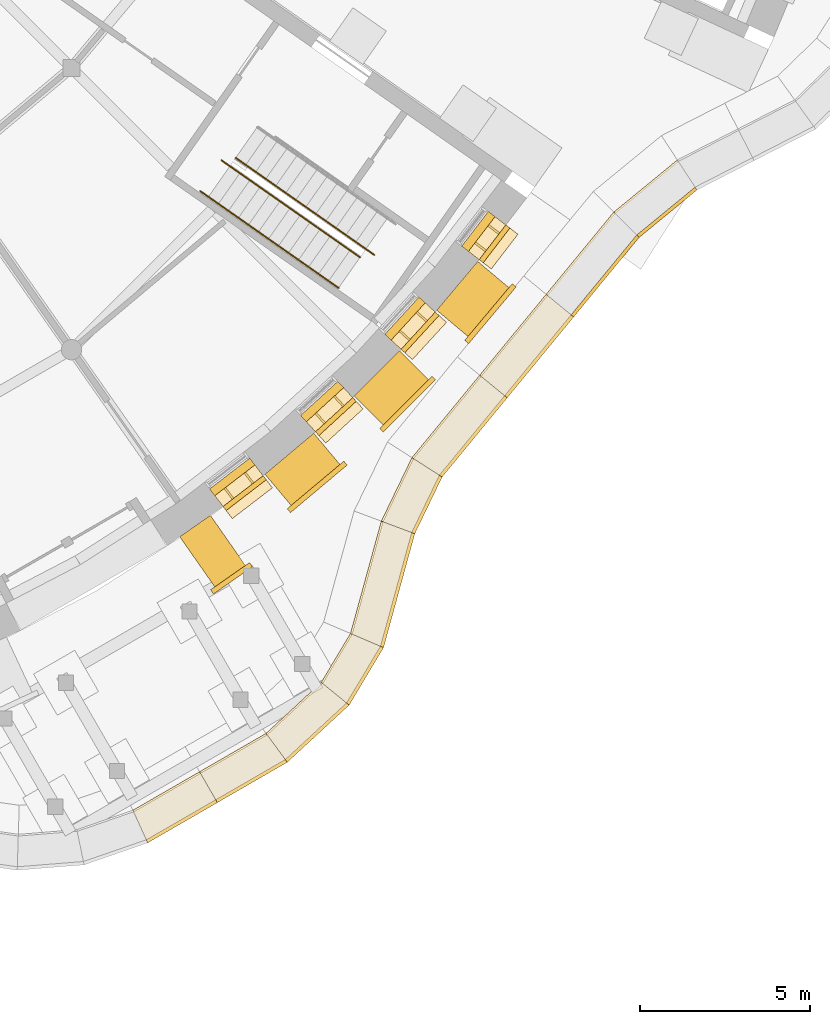
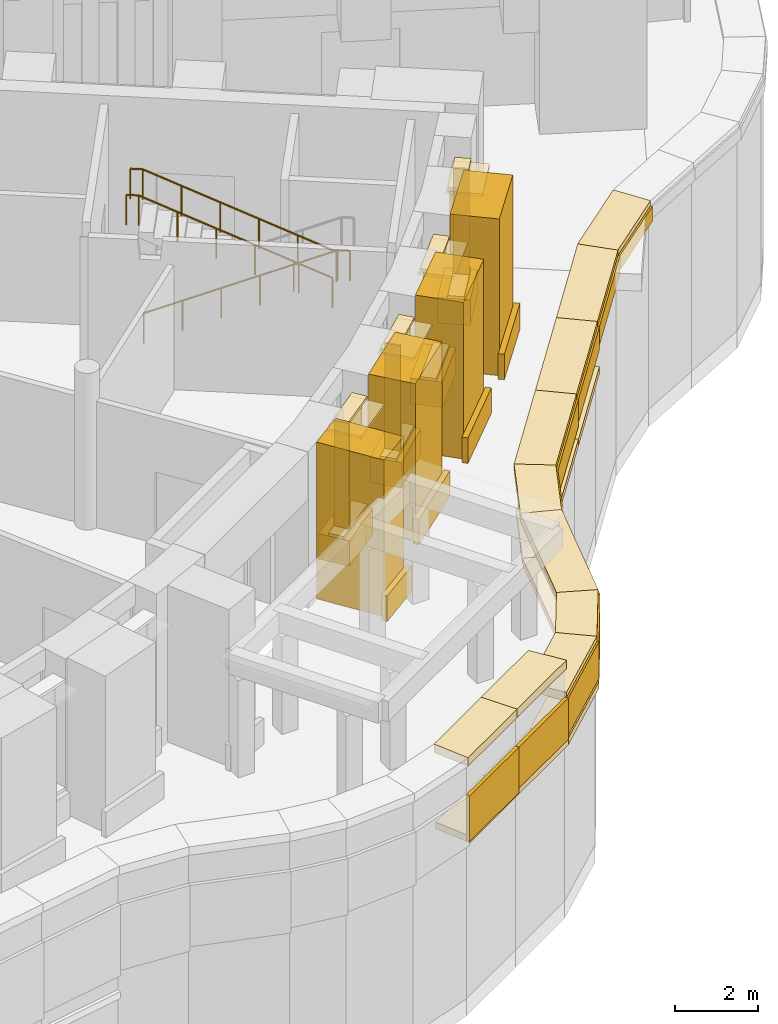
# One storey, part 71 of 85: 60 coverings, 3 railings.
"""IFC4 building model written with IfcOpenShell, lengths in metres."""

from ifc_helpers import new_model, si_unit, direction, frame, origin, origin_2d, place, context, subcontext, project, spatial, polyline, rectangle, circle, outline, extrude, material, layer, layer_set, type_object, element, save


model = new_model("IFC4")

# Units and contexts
model_context = context("Model", 3, precision=1e-05, world=origin(), true_north=direction((0.0, 1.0)))
body_context = subcontext(model_context, "Body", "Model", "MODEL_VIEW")
ifc_project = project(units=[si_unit("LENGTHUNIT", "METRE"), si_unit("AREAUNIT", "SQUARE_METRE"), si_unit("VOLUMEUNIT", "CUBIC_METRE"), si_unit("PLANEANGLEUNIT", "RADIAN"), si_unit("MASSUNIT", "GRAM", prefix="KILO")], contexts=[model_context])

# Site, building, storey
site_placement = place(None, origin())
site = spatial("IfcSite", under=ifc_project, at=site_placement, CompositionType="ELEMENT")
building_placement = place(site_placement, origin())
building = spatial("IfcBuilding", under=site, at=building_placement, Name="Volute Hill Aquarium", CompositionType="ELEMENT")
storey_placement = place(building_placement, origin())
storey = spatial("IfcBuildingStorey", under=building, at=storey_placement, Name="L01", CompositionType="ELEMENT", Elevation=0.0)

# Coverings
ifc_material_1 = material(Name="Blue limestone", Category="masonry")
covering_type_1 = type_object("IfcCoveringType", Name="Bluestone plinth block 275x750", PredefinedType="CLADDING", material=ifc_material_1)
for number, where, z_axis, x_axis, name in (
    (1, (24.2666015625, -31.624755859375, 0.0), (0.0, 0.0, 1.0), (0.793365104798, 0.608746096898, 0.0), "Bluestone plinth BPN S3 L01 7"),
    (2, (26.930419921875, -29.3896484375, 0.0), (0.0, 0.0, 1.0), (0.737257204746, 0.675612177251, 0.0), "Bluestone plinth BPN S3 L01 8"),
    (3, (29.389404296875, -26.9306640625, 0.0), (0.0, 0.0, 1.0), (0.675612177251, 0.737257204746, 0.0), "Bluestone plinth BPN S3 L01 9"),
):
    element("IfcCovering", number, at=place(storey_placement, frame(where, z_axis=z_axis, x_axis=x_axis)), inside=storey, type_object=covering_type_1, Name=name, PredefinedType="CLADDING", context=body_context, shape_type="SweptSolid", body=[
        extrude(rectangle(XDim=1.4892578125, YDim=0.800048828125, at=origin_2d()), origin(), (0.0, 0.0, 1.0), 0.75),
    ])
covering_1_placement = place(storey_placement, frame((31.56396484375, -24.345947265625, 0.0), z_axis=(0.0, 0.0, 1.0), x_axis=(0.608746096898, 0.793365104798, 0.0)))
element("IfcCovering", 4, at=covering_1_placement, inside=storey, type_object=covering_type_1, Name="Bluestone plinth BPN S3 L01 10", PredefinedType="CLADDING", context=body_context, shape_type="SweptSolid", body=[
    extrude(rectangle(XDim=1.2890625, YDim=0.800048828125, at=origin_2d()), origin(), (0.0, 0.0, 1.0), 0.75),
])
ifc_material_2 = material(Name="Blue limestone", Category="masonry")
ifc_layer_1 = layer(ifc_material_2, 0.14990234375)
ifc_layer_set_1 = layer_set([ifc_layer_1], Name="Bluestone plinth plate 150x750")
covering_type_2 = type_object("IfcCoveringType", Name="Bluestone plinth plate 150x750", PredefinedType="CLADDING", material=ifc_layer_set_1)
covering_2_placement = place(storey_placement, frame((24.07958984375, -34.38916015625, 0.0), z_axis=(0.0, 0.0, 1.0), x_axis=(0.819152044289, 0.573576436351, 0.0)))
element("IfcCovering", 5, at=covering_2_placement, inside=storey, type_object=covering_type_2, Name="Bluestone plinth BP S3 L01 6", PredefinedType="CLADDING", context=body_context, shape_type="SweptSolid", body=[
    extrude(rectangle(XDim=1.39990234375, YDim=0.14990234375, at=origin_2d()), origin(), (0.0, 0.0, 1.0), 0.75),
])
for number, where, z_axis, x_axis, name in (
    (6, (26.599609375, -31.7001953125, 0.0), (0.0, 0.0, 1.0), (0.766044443119, 0.642787609687, 0.0), "Bluestone plinth BP S3 L01 7"),
    (7, (29.260986328125, -29.260986328125, 0.0), (0.0, 0.0, 1.0), (0.707106781187, 0.707106781187, 0.0), "Bluestone plinth BP S3 L01 8"),
    (8, (31.7001953125, -26.599609375, 0.0), (0.0, 0.0, 1.0), (0.642787609687, 0.766044443119, 0.0), "Bluestone plinth BP S3 L01 9"),
):
    element("IfcCovering", number, at=place(storey_placement, frame(where, z_axis=z_axis, x_axis=x_axis)), inside=storey, type_object=covering_type_2, Name=name, PredefinedType="CLADDING", context=body_context, shape_type="SweptSolid", body=[
        extrude(rectangle(XDim=2.17529296875, YDim=0.14990234375, at=origin_2d()), origin(), (0.0, 0.0, 1.0), 0.75),
    ])

# Railings
ifc_material_3 = material(Name="Stainless steel 1.4301", Category="steel")
railing_type = type_object("IfcRailingType", Name="Handrail 48 stainless", PredefinedType="HANDRAIL", material=ifc_material_3)
railing_1_placement = place(storey_placement, frame((24.201171875, -22.011962890625, 0.164306640625)))
element("IfcRailing", 9, at=railing_1_placement, inside=storey, type_object=railing_type, Name="hr/S3-B/L01/2", PredefinedType="HANDRAIL", context=body_context, shape_type="SweptSolid", body=[
    extrude(circle(Radius=0.02392578125, at=origin_2d()), frame((0.0, 0.0, 0.8759765625), z_axis=(0.745229941797, -0.521798586898, 0.415160894787), x_axis=(0.57356387087, 0.81916084259, 0.0)), (0.0, 0.0, 1.0), 5.144287109375),
    extrude(circle(Radius=0.02392578125, at=origin_2d()), frame((3.833740234375, -2.684326171875, 3.01171875), z_axis=(0.818925855405, -0.573899332068, 0.0), x_axis=(0.573899332068, 0.818925855405, 0.0)), (0.0, 0.0, 1.0), 0.2998046875),
    extrude(circle(Radius=0.02099609375, at=origin_2d()), origin(), (0.0, 0.0, 1.0), 0.851806640625),
    extrude(circle(Radius=0.02099609375, at=origin_2d()), frame((0.766845703125, -0.536865234375, 0.42724609375)), (0.0, 0.0, 1.0), 0.851806640625),
    extrude(circle(Radius=0.02099609375, at=origin_2d()), frame((1.533447265625, -1.07373046875, 0.854248046875)), (0.0, 0.0, 1.0), 0.851806640625),
    extrude(circle(Radius=0.02099609375, at=origin_2d()), frame((2.30029296875, -1.610595703125, 1.281494140625)), (0.0, 0.0, 1.0), 0.851806640625),
    extrude(circle(Radius=0.02099609375, at=origin_2d()), frame((3.06689453125, -2.1474609375, 1.70849609375)), (0.0, 0.0, 1.0), 0.851806640625),
    extrude(circle(Radius=0.02099609375, at=origin_2d()), frame((3.833740234375, -2.684326171875, 2.1357421875)), (0.0, 0.0, 1.0), 0.851806640625),
    extrude(circle(Radius=0.02099609375, at=origin_2d()), frame((4.079345703125, -2.8564453125, 2.1357421875)), (0.0, 0.0, 1.0), 0.851806640625),
])
railing_2_placement = place(storey_placement, frame((27.86279296875, -24.942138671875, 2.46435546875)))
element("IfcRailing", 10, at=railing_2_placement, inside=storey, type_object=railing_type, Name="hr/S3-B/L01/3", PredefinedType="HANDRAIL", context=body_context, shape_type="SweptSolid", body=[
    extrude(circle(Radius=0.02392578125, at=origin_2d()), frame((0.0, 0.0, 0.8759765625), z_axis=(-0.745229941797, 0.521798586898, 0.415160894787), x_axis=(-0.57356387087, -0.81916084259, 0.0)), (0.0, 0.0, 1.0), 5.144287109375),
    extrude(circle(Radius=0.02392578125, at=origin_2d()), frame((-3.833740234375, 2.684326171875, 3.01171875), z_axis=(-0.819193700616, 0.573516940352, 0.0), x_axis=(-0.573516940352, -0.819193700616, 0.0)), (0.0, 0.0, 1.0), 0.300048828125),
    extrude(circle(Radius=0.02099609375, at=origin_2d()), origin(), (0.0, 0.0, 1.0), 0.851806640625),
    extrude(circle(Radius=0.02099609375, at=origin_2d()), frame((-0.766845703125, 0.536865234375, 0.42724609375)), (0.0, 0.0, 1.0), 0.851806640625),
    extrude(circle(Radius=0.02099609375, at=origin_2d()), frame((-1.533447265625, 1.07373046875, 0.854248046875)), (0.0, 0.0, 1.0), 0.851806640625),
    extrude(circle(Radius=0.02099609375, at=origin_2d()), frame((-2.30029296875, 1.610595703125, 1.281494140625)), (0.0, 0.0, 1.0), 0.851806640625),
    extrude(circle(Radius=0.02099609375, at=origin_2d()), frame((-3.06689453125, 2.1474609375, 1.70849609375)), (0.0, 0.0, 1.0), 0.851806640625),
    extrude(circle(Radius=0.02099609375, at=origin_2d()), frame((-3.833740234375, 2.684326171875, 2.1357421875)), (0.0, 0.0, 1.0), 0.851806640625),
    extrude(circle(Radius=0.02099609375, at=origin_2d()), frame((-4.07958984375, 2.8564453125, 2.1357421875)), (0.0, 0.0, 1.0), 0.851806640625),
])
railing_3_placement = place(storey_placement, frame((27.231689453125, -25.84326171875, 2.46435546875)))
element("IfcRailing", 11, at=railing_3_placement, inside=storey, type_object=railing_type, Name="hr/S3-B/L01/4", PredefinedType="HANDRAIL", context=body_context, shape_type="SweptSolid", body=[
    extrude(circle(Radius=0.02392578125, at=origin_2d()), frame((0.0, 0.0, 0.8759765625), z_axis=(-0.745190384026, 0.521851577044, 0.415165296106), x_axis=(-0.573623384376, -0.819119168923, 0.0)), (0.0, 0.0, 1.0), 5.144287109375),
    extrude(circle(Radius=0.02392578125, at=origin_2d()), frame((-3.83349609375, 2.6845703125, 3.01171875), z_axis=(-0.819575896246, 0.572970636502, 0.0), x_axis=(-0.572970636502, -0.819575896246, 0.0)), (0.0, 0.0, 1.0), 0.300048828125),
    extrude(circle(Radius=0.02099609375, at=origin_2d()), origin(), (0.0, 0.0, 1.0), 0.851806640625),
    extrude(circle(Radius=0.02099609375, at=origin_2d()), frame((-0.7666015625, 0.536865234375, 0.42724609375)), (0.0, 0.0, 1.0), 0.851806640625),
    extrude(circle(Radius=0.02099609375, at=origin_2d()), frame((-1.533447265625, 1.07373046875, 0.854248046875)), (0.0, 0.0, 1.0), 0.851806640625),
    extrude(circle(Radius=0.02099609375, at=origin_2d()), frame((-2.300048828125, 1.61083984375, 1.281494140625)), (0.0, 0.0, 1.0), 0.851806640625),
    extrude(circle(Radius=0.02099609375, at=origin_2d()), frame((-3.06689453125, 2.147705078125, 1.70849609375)), (0.0, 0.0, 1.0), 0.851806640625),
    extrude(circle(Radius=0.02099609375, at=origin_2d()), frame((-3.83349609375, 2.6845703125, 2.1357421875)), (0.0, 0.0, 1.0), 0.851806640625),
    extrude(circle(Radius=0.02099609375, at=origin_2d()), frame((-4.079345703125, 2.8564453125, 2.1357421875)), (0.0, 0.0, 1.0), 0.851806640625),
])

# Coverings
ifc_material_4 = material(Name="Aluminium, anodised", Category="aluminium")
ifc_layer_2 = layer(ifc_material_4, 0.080078125)
ifc_layer_set_2 = layer_set([ifc_layer_2], Name="Horizontal brise-soleil eyebrow 900x80")
covering_type_3 = type_object("IfcCoveringType", Name="Horizontal brise-soleil eyebrow 900x80", PredefinedType="CLADDING", material=ifc_layer_set_2)
for number, where, z_axis, x_axis, name in (
    (12, (24.418701171875, -31.8232421875, 3.81005859375), (0.0, 0.0, 1.0), (0.793365104798, 0.608746096898, 0.0), "Brise-soleil eyebrow BS S3 L01 7.1"),
    (13, (27.099365234375, -29.57373046875, 3.81005859375), (0.0, 0.0, 1.0), (0.737257204746, 0.675612177251, 0.0), "Brise-soleil eyebrow BS S3 L01 8.1"),
    (14, (29.57373046875, -27.099365234375, 3.81005859375), (0.0, 0.0, 1.0), (0.675612177251, 0.737257204746, 0.0), "Brise-soleil eyebrow BS S3 L01 9.1"),
):
    element("IfcCovering", number, at=place(storey_placement, frame(where, z_axis=z_axis, x_axis=x_axis)), inside=storey, type_object=covering_type_3, Name=name, PredefinedType="CLADDING", context=body_context, shape_type="SweptSolid", body=[
        extrude(rectangle(XDim=1.4892578125, YDim=0.89990234375, at=origin_2d()), origin(), (0.0, 0.0, 1.0), 0.080078125),
    ])
covering_3_placement = place(storey_placement, frame((31.76220703125, -24.498291015625, 3.81005859375), z_axis=(0.0, 0.0, 1.0), x_axis=(0.608746096898, 0.793365104798, 0.0)))
element("IfcCovering", 15, at=covering_3_placement, inside=storey, type_object=covering_type_3, Name="Brise-soleil eyebrow BS S3 L01 10.1", PredefinedType="CLADDING", context=body_context, shape_type="SweptSolid", body=[
    extrude(rectangle(XDim=1.2890625, YDim=0.89990234375, at=origin_2d()), origin(), (0.0, 0.0, 1.0), 0.080078125),
])
ifc_material_5 = material(Name="Precast concrete C40/50", Category="concrete")
ifc_layer_3 = layer(ifc_material_5, 0.25)
ifc_layer_set_3 = layer_set([ifc_layer_3], Name="Plinth coping precast concrete C40/50 1000")
covering_type_4 = type_object("IfcCoveringType", Name="Plinth coping precast concrete C40/50 1000", PredefinedType="CLADDING", material=ifc_layer_set_3)
covering_4_placement = place(storey_placement, frame((0.0, 0.0, 0.85009765625)))
element("IfcCovering", 16, at=covering_4_placement, inside=storey, type_object=covering_type_4, Name="cp/E34UP/L01/0", PredefinedType="CLADDING", context=body_context, shape_type="SweptSolid", body=[
    extrude(outline(polyline([(21.58984375, -42.1337890625), (23.636962890625, -40.951904296875), (23.136962890625, -40.0859375), (21.172607421875, -41.219970703125), (21.172607421875, -41.219970703125), (21.58984375, -42.1337890625), (21.58984375, -42.1337890625)])), origin(), (0.0, 0.0, 1.0), 0.25),
])
covering_5_placement = place(storey_placement, frame((0.0, 0.0, 0.85009765625)))
element("IfcCovering", 17, at=covering_5_placement, inside=storey, type_object=covering_type_4, Name="cp/E34UP/L01/1", PredefinedType="CLADDING", context=body_context, shape_type="SweptSolid", body=[
    extrude(outline(polyline([(25.691162109375, -39.765869140625), (25.691162109375, -39.765869140625), (25.094482421875, -38.95556640625), (23.136962890625, -40.0859375), (23.636962890625, -40.951904296875), (25.691162109375, -39.765869140625)])), origin(), (0.0, 0.0, 1.0), 0.25),
])
covering_6_placement = place(storey_placement, frame((0.0, 0.0, -0.10009765625)))
element("IfcCovering", 18, at=covering_6_placement, inside=storey, type_object=covering_type_4, Name="cp/E35UP/L01/0", PredefinedType="CLADDING", context=body_context, shape_type="SweptSolid", body=[
    extrude(outline(polyline([(25.691162109375, -39.765869140625), (27.503173828125, -38.09130859375), (26.71875, -37.45458984375), (25.094482421875, -38.95556640625), (25.691162109375, -39.765869140625)])), origin(), (0.0, 0.0, 1.0), 0.25),
])
covering_7_placement = place(storey_placement, frame((0.0, 0.0, -0.10009765625)))
element("IfcCovering", 19, at=covering_7_placement, inside=storey, type_object=covering_type_4, Name="cp/E36UP/L01/0", PredefinedType="CLADDING", context=body_context, shape_type="SweptSolid", body=[
    extrude(outline(polyline([(28.5078125, -36.410888671875), (28.5078125, -36.410888671875), (27.57958984375, -36.0146484375), (27.57958984375, -36.0146484375), (26.71875, -37.45458984375), (26.71875, -37.45458984375), (27.503173828125, -38.09130859375), (27.503173828125, -38.09130859375), (28.5078125, -36.410888671875)])), origin(), (0.0, 0.0, 1.0), 0.25),
])
covering_8_placement = place(storey_placement, frame((0.0, 0.0, -0.10009765625)))
element("IfcCovering", 20, at=covering_8_placement, inside=storey, type_object=covering_type_4, Name="cp/E37UP/L01/0", PredefinedType="CLADDING", context=body_context, shape_type="SweptSolid", body=[
    extrude(outline(polyline([(28.5078125, -36.410888671875), (29.4267578125, -33.060791015625), (28.486572265625, -32.708251953125), (28.486572265625, -32.708251953125), (27.57958984375, -36.0146484375), (28.5078125, -36.410888671875)])), origin(), (0.0, 0.0, 1.0), 0.25),
])
covering_9_placement = place(storey_placement, frame((0.0, 0.0, -0.10009765625)))
element("IfcCovering", 21, at=covering_9_placement, inside=storey, type_object=covering_type_4, Name="cp/E38UP/L01/0", PredefinedType="CLADDING", context=body_context, shape_type="SweptSolid", body=[
    extrude(outline(polyline([(30.23779296875, -31.380615234375), (30.23779296875, -31.380615234375), (29.38916015625, -30.838134765625), (29.38916015625, -30.838134765625), (28.486572265625, -32.708251953125), (29.4267578125, -33.060791015625), (30.23779296875, -31.380615234375)])), origin(), (0.0, 0.0, 1.0), 0.25),
])
covering_10_placement = place(storey_placement, frame((0.0, 0.0, -0.10009765625)))
element("IfcCovering", 22, at=covering_10_placement, inside=storey, type_object=covering_type_4, Name="cp/E39UP/L01/0", PredefinedType="CLADDING", context=body_context, shape_type="SweptSolid", body=[
    extrude(outline(polyline([(30.23779296875, -31.380615234375), (32.156982421875, -29.045654296875), (31.38427734375, -28.41064453125), (29.38916015625, -30.838134765625), (30.23779296875, -31.380615234375)])), origin(), (0.0, 0.0, 1.0), 0.25),
])
covering_11_placement = place(storey_placement, frame((0.0, 0.0, -0.10009765625)))
element("IfcCovering", 23, at=covering_11_placement, inside=storey, type_object=covering_type_4, Name="cp/E39UP/L01/1", PredefinedType="CLADDING", context=body_context, shape_type="SweptSolid", body=[
    extrude(outline(polyline([(32.156982421875, -29.045654296875), (34.1142578125, -26.66455078125), (33.341552734375, -26.029541015625), (31.38427734375, -28.41064453125), (32.156982421875, -29.045654296875)])), origin(), (0.0, 0.0, 1.0), 0.25),
])
covering_12_placement = place(storey_placement, frame((0.0, 0.0, -0.10009765625)))
element("IfcCovering", 24, at=covering_12_placement, inside=storey, type_object=covering_type_4, Name="cp/E39UP/L01/2", PredefinedType="CLADDING", context=body_context, shape_type="SweptSolid", body=[
    extrude(outline(polyline([(34.1142578125, -26.66455078125), (36.040283203125, -24.3212890625), (35.330078125, -23.6103515625), (33.341552734375, -26.029541015625), (34.1142578125, -26.66455078125)])), origin(), (0.0, 0.0, 1.0), 0.25),
])
covering_13_placement = place(storey_placement, frame((0.0, 0.0, -0.10009765625)))
element("IfcCovering", 25, at=covering_13_placement, inside=storey, type_object=covering_type_4, Name="cp/E40UP/L01/0", PredefinedType="CLADDING", context=body_context, shape_type="SweptSolid", body=[
    extrude(outline(polyline([(36.040283203125, -24.3212890625), (37.7548828125, -22.915283203125), (37.20361328125, -22.07421875), (35.330078125, -23.6103515625), (35.330078125, -23.6103515625), (36.040283203125, -24.3212890625), (36.040283203125, -24.3212890625)])), origin(), (0.0, 0.0, 1.0), 0.25),
])
ifc_material_6 = material(Name="Precast concrete C40/50", Category="concrete")
ifc_layer_4 = layer(ifc_material_6, 0.199951171875)
ifc_layer_set_4 = layer_set([ifc_layer_4], Name="Plinth grade course precast concrete C40/50 1100")
covering_type_5 = type_object("IfcCoveringType", Name="Plinth grade course precast concrete C40/50 1100", PredefinedType="CLADDING", material=ifc_layer_set_4)
covering_14_placement = place(storey_placement, frame((0.0, 0.0, -1.375)))
element("IfcCovering", 26, at=covering_14_placement, inside=storey, type_object=covering_type_5, Name="gc/E34UP/L01/0", PredefinedType="CLADDING", context=body_context, shape_type="SweptSolid", body=[
    extrude(outline(polyline([(21.610595703125, -42.179443359375), (23.662109375, -40.9951171875), (23.162109375, -40.129150390625), (21.193359375, -41.265869140625), (21.193359375, -41.265869140625), (21.610595703125, -42.179443359375), (21.610595703125, -42.179443359375)])), origin(), (0.0, 0.0, 1.0), 0.199951171875),
])
covering_15_placement = place(storey_placement, frame((0.0, 0.0, -1.375)))
element("IfcCovering", 27, at=covering_15_placement, inside=storey, type_object=covering_type_5, Name="gc/E34UP/L01/1", PredefinedType="CLADDING", context=body_context, shape_type="SweptSolid", body=[
    extrude(outline(polyline([(25.720947265625, -39.806396484375), (25.720947265625, -39.806396484375), (25.124267578125, -38.99609375), (23.162109375, -40.129150390625), (23.662109375, -40.9951171875), (25.720947265625, -39.806396484375)])), origin(), (0.0, 0.0, 1.0), 0.199951171875),
])
covering_16_placement = place(storey_placement, frame((0.0, 0.0, -1.375)))
element("IfcCovering", 28, at=covering_16_placement, inside=storey, type_object=covering_type_5, Name="gc/E35UP/L01/0", PredefinedType="CLADDING", context=body_context, shape_type="SweptSolid", body=[
    extrude(outline(polyline([(25.720947265625, -39.806396484375), (27.54248046875, -38.123046875), (26.758056640625, -37.486328125), (25.124267578125, -38.99609375), (25.720947265625, -39.806396484375)])), origin(), (0.0, 0.0, 1.0), 0.199951171875),
])
covering_17_placement = place(storey_placement, frame((0.0, 0.0, -1.375)))
element("IfcCovering", 29, at=covering_17_placement, inside=storey, type_object=covering_type_5, Name="gc/E36UP/L01/0", PredefinedType="CLADDING", context=body_context, shape_type="SweptSolid", body=[
    extrude(outline(polyline([(27.54248046875, -38.123046875), (28.55419921875, -36.4306640625), (27.6259765625, -36.034423828125), (27.6259765625, -36.034423828125), (26.758056640625, -37.486328125), (26.758056640625, -37.486328125), (27.54248046875, -38.123046875), (27.54248046875, -38.123046875)])), origin(), (0.0, 0.0, 1.0), 0.199951171875),
])
covering_18_placement = place(storey_placement, frame((0.0, 0.0, -1.375)))
element("IfcCovering", 30, at=covering_18_placement, inside=storey, type_object=covering_type_5, Name="gc/E37UP/L01/0", PredefinedType="CLADDING", context=body_context, shape_type="SweptSolid", body=[
    extrude(outline(polyline([(29.4736328125, -33.078369140625), (29.4736328125, -33.078369140625), (28.533447265625, -32.725830078125), (27.6259765625, -36.034423828125), (28.55419921875, -36.4306640625), (29.4736328125, -33.078369140625)])), origin(), (0.0, 0.0, 1.0), 0.199951171875),
])
covering_19_placement = place(storey_placement, frame((0.0, 0.0, -1.375)))
element("IfcCovering", 31, at=covering_19_placement, inside=storey, type_object=covering_type_5, Name="gc/E38UP/L01/0", PredefinedType="CLADDING", context=body_context, shape_type="SweptSolid", body=[
    extrude(outline(polyline([(30.280029296875, -31.40771484375), (30.280029296875, -31.40771484375), (29.431640625, -30.865234375), (28.533447265625, -32.725830078125), (29.4736328125, -33.078369140625), (30.280029296875, -31.40771484375)])), origin(), (0.0, 0.0, 1.0), 0.199951171875),
])
covering_20_placement = place(storey_placement, frame((0.0, 0.0, -1.375)))
element("IfcCovering", 32, at=covering_20_placement, inside=storey, type_object=covering_type_5, Name="gc/E39UP/L01/0", PredefinedType="CLADDING", context=body_context, shape_type="SweptSolid", body=[
    extrude(outline(polyline([(30.280029296875, -31.40771484375), (32.195556640625, -29.077392578125), (31.423095703125, -28.4423828125), (29.431640625, -30.865234375), (29.431640625, -30.865234375), (30.280029296875, -31.40771484375)])), origin(), (0.0, 0.0, 1.0), 0.199951171875),
])
covering_21_placement = place(storey_placement, frame((0.0, 0.0, -1.375)))
element("IfcCovering", 33, at=covering_21_placement, inside=storey, type_object=covering_type_5, Name="gc/E39UP/L01/1", PredefinedType="CLADDING", context=body_context, shape_type="SweptSolid", body=[
    extrude(outline(polyline([(32.195556640625, -29.077392578125), (34.15283203125, -26.6962890625), (33.380126953125, -26.061279296875), (31.423095703125, -28.4423828125), (32.195556640625, -29.077392578125)])), origin(), (0.0, 0.0, 1.0), 0.199951171875),
])
ifc_material_7 = material(Name="Precast concrete C40/50", Category="concrete")
covering_type_6 = type_object("IfcCoveringType", Name="Projecting pier precast concrete C40/50 1100x1800", PredefinedType="CLADDING", material=ifc_material_7)
covering_22_placement = place(storey_placement, frame((23.5205078125, -33.590576171875, 0.0), z_axis=(0.0, 0.0, 1.0), x_axis=(0.819152044289, 0.573576436351, 0.0)))
element("IfcCovering", 34, at=covering_22_placement, inside=storey, type_object=covering_type_6, Name="Projecting pier PP S3 L01 6", PredefinedType="CLADDING", context=body_context, shape_type="SweptSolid", body=[
    extrude(rectangle(XDim=1.10009765625, YDim=1.800048828125, at=origin_2d()), origin(), (0.0, 0.0, 1.0), 4.60009765625),
])
ifc_material_8 = material(Name="Precast concrete C40/50", Category="concrete")
covering_type_7 = type_object("IfcCoveringType", Name="Projecting pier precast concrete C40/50 1875x1200", PredefinedType="CLADDING", material=ifc_material_8)
for number, where, z_axis, x_axis, name in (
    (35, (26.165771484375, -31.18310546875, 0.0), (0.0, 0.0, 1.0), (0.766044443119, 0.642787609687, 0.0), "Projecting pier PP S3 L01 7"),
    (36, (28.78369140625, -28.78369140625, 0.0), (0.0, 0.0, 1.0), (0.707106781187, 0.707106781187, 0.0), "Projecting pier PP S3 L01 8"),
    (37, (31.18310546875, -26.165771484375, 0.0), (0.0, 0.0, 1.0), (0.642787609687, 0.766044443119, 0.0), "Projecting pier PP S3 L01 9"),
):
    element("IfcCovering", number, at=place(storey_placement, frame(where, z_axis=z_axis, x_axis=x_axis)), inside=storey, type_object=covering_type_7, Name=name, PredefinedType="CLADDING", context=body_context, shape_type="SweptSolid", body=[
        extrude(rectangle(XDim=1.87548828125, YDim=1.199951171875, at=origin_2d()), origin(), (0.0, 0.0, 1.0), 4.60009765625),
    ])
ifc_material_9 = material(Name="Precast concrete C40/50", Category="concrete")
ifc_layer_5 = layer(ifc_material_9, 0.10009765625)
ifc_layer_set_5 = layer_set([ifc_layer_5], Name="Retained ground face precast concrete C40/50 100")
covering_type_8 = type_object("IfcCoveringType", Name="Retained ground face precast concrete C40/50 100", PredefinedType="CLADDING", material=ifc_layer_set_5)
covering_23_placement = place(storey_placement, frame((0.0, 0.0, -1.33740234375)))
element("IfcCovering", 38, at=covering_23_placement, inside=storey, type_object=covering_type_8, Name="tg/E34UP/L01/0", PredefinedType="CLADDING", context=body_context, shape_type="SweptSolid", body=[
    extrude(outline(polyline([(21.610595703125, -42.179443359375), (23.662109375, -40.9951171875), (23.612060546875, -40.90869140625), (21.56884765625, -42.088134765625), (21.56884765625, -42.088134765625), (21.610595703125, -42.179443359375), (21.610595703125, -42.179443359375)])), origin(), (0.0, 0.0, 1.0), 1.33740234375),
])
covering_24_placement = place(storey_placement, frame((0.0, 0.0, -1.210693359375)))
element("IfcCovering", 39, at=covering_24_placement, inside=storey, type_object=covering_type_8, Name="tg/E34UP/L01/1", PredefinedType="CLADDING", context=body_context, shape_type="SweptSolid", body=[
    extrude(outline(polyline([(25.720947265625, -39.806396484375), (25.720947265625, -39.806396484375), (25.661376953125, -39.725341796875), (25.661376953125, -39.725341796875), (23.612060546875, -40.90869140625), (23.662109375, -40.9951171875), (25.720947265625, -39.806396484375)])), origin(), (0.0, 0.0, 1.0), 1.210693359375),
])
covering_25_placement = place(storey_placement, frame((0.0, 0.0, -1.083740234375)))
element("IfcCovering", 40, at=covering_25_placement, inside=storey, type_object=covering_type_8, Name="tg/E35UP/L01/0", PredefinedType="CLADDING", context=body_context, shape_type="SweptSolid", body=[
    extrude(outline(polyline([(25.720947265625, -39.806396484375), (27.54248046875, -38.123046875), (27.4638671875, -38.0595703125), (25.661376953125, -39.725341796875), (25.720947265625, -39.806396484375)])), origin(), (0.0, 0.0, 1.0), 1.083740234375),
])
covering_26_placement = place(storey_placement, frame((0.0, 0.0, -0.97509765625)))
element("IfcCovering", 41, at=covering_26_placement, inside=storey, type_object=covering_type_8, Name="tg/E36UP/L01/0", PredefinedType="CLADDING", context=body_context, shape_type="SweptSolid", body=[
    extrude(outline(polyline([(27.54248046875, -38.123046875), (28.55419921875, -36.4306640625), (28.46142578125, -36.390869140625), (28.46142578125, -36.390869140625), (27.4638671875, -38.0595703125), (27.4638671875, -38.0595703125), (27.54248046875, -38.123046875), (27.54248046875, -38.123046875)])), origin(), (0.0, 0.0, 1.0), 0.97509765625),
])
covering_27_placement = place(storey_placement, frame((0.0, 0.0, -0.916259765625)))
element("IfcCovering", 42, at=covering_27_placement, inside=storey, type_object=covering_type_8, Name="tg/E37UP/L01/0", PredefinedType="CLADDING", context=body_context, shape_type="SweptSolid", body=[
    extrude(outline(polyline([(29.4736328125, -33.078369140625), (29.4736328125, -33.078369140625), (29.379638671875, -33.043212890625), (29.379638671875, -33.043212890625), (28.46142578125, -36.390869140625), (28.55419921875, -36.4306640625), (29.4736328125, -33.078369140625)])), origin(), (0.0, 0.0, 1.0), 0.916259765625),
])
covering_28_placement = place(storey_placement, frame((0.0, 0.0, -0.8583984375)))
element("IfcCovering", 43, at=covering_28_placement, inside=storey, type_object=covering_type_8, Name="tg/E38UP/L01/0", PredefinedType="CLADDING", context=body_context, shape_type="SweptSolid", body=[
    extrude(outline(polyline([(30.280029296875, -31.40771484375), (30.280029296875, -31.40771484375), (30.1953125, -31.353515625), (29.379638671875, -33.043212890625), (29.4736328125, -33.078369140625), (30.280029296875, -31.40771484375)])), origin(), (0.0, 0.0, 1.0), 0.8583984375),
])
covering_29_placement = place(storey_placement, frame((0.0, 0.0, -0.80419921875)))
element("IfcCovering", 44, at=covering_29_placement, inside=storey, type_object=covering_type_8, Name="tg/E39UP/L01/0", PredefinedType="CLADDING", context=body_context, shape_type="SweptSolid", body=[
    extrude(outline(polyline([(30.280029296875, -31.40771484375), (32.195556640625, -29.077392578125), (32.1181640625, -29.013916015625), (30.1953125, -31.353515625), (30.1953125, -31.353515625), (30.280029296875, -31.40771484375)])), origin(), (0.0, 0.0, 1.0), 0.80419921875),
])
covering_30_placement = place(storey_placement, frame((0.0, 0.0, -0.6806640625)))
element("IfcCovering", 45, at=covering_30_placement, inside=storey, type_object=covering_type_8, Name="tg/E39UP/L01/1", PredefinedType="CLADDING", context=body_context, shape_type="SweptSolid", body=[
    extrude(outline(polyline([(32.195556640625, -29.077392578125), (34.15283203125, -26.6962890625), (34.075439453125, -26.6328125), (32.1181640625, -29.013916015625), (32.195556640625, -29.077392578125)])), origin(), (0.0, 0.0, 1.0), 0.6806640625),
])
covering_31_placement = place(storey_placement, frame((0.0, 0.0, -0.556884765625)))
element("IfcCovering", 46, at=covering_31_placement, inside=storey, type_object=covering_type_8, Name="tg/E39UP/L01/2", PredefinedType="CLADDING", context=body_context, shape_type="SweptSolid", body=[
    extrude(outline(polyline([(34.15283203125, -26.6962890625), (36.07568359375, -24.35693359375), (36.004638671875, -24.28564453125), (34.075439453125, -26.6328125), (34.15283203125, -26.6962890625)])), origin(), (0.0, 0.0, 1.0), 0.556884765625),
])
covering_32_placement = place(storey_placement, frame((0.0, 0.0, -0.43310546875)))
element("IfcCovering", 47, at=covering_32_placement, inside=storey, type_object=covering_type_8, Name="tg/E40UP/L01/0", PredefinedType="CLADDING", context=body_context, shape_type="SweptSolid", body=[
    extrude(outline(polyline([(37.782470703125, -22.95751953125), (37.782470703125, -22.95751953125), (37.727294921875, -22.873291015625), (36.004638671875, -24.28564453125), (36.004638671875, -24.28564453125), (36.07568359375, -24.35693359375), (36.07568359375, -24.35693359375), (37.782470703125, -22.95751953125)])), origin(), (0.0, 0.0, 1.0), 0.43310546875),
])
ifc_material_10 = material(Name="Timber, thermally modified ash", Category="wood")
covering_type_9 = type_object("IfcCoveringType", Name="Timber louvre fin 60x400", PredefinedType="CLADDING", material=ifc_material_10)
for number, where, z_axis, x_axis, name in (
    (48, (24.001708984375, -31.89111328125, 0.830078125), (0.0, 0.0, 1.0), (0.793365104798, 0.608746096898, 0.0), "Timber louvre fin S3 L01 7.1.1"),
    (49, (24.592529296875, -31.437744140625, 0.830078125), (0.0, 0.0, 1.0), (0.793365104798, 0.608746096898, 0.0), "Timber louvre fin S3 L01 7.1.2"),
    (50, (26.689697265625, -29.677978515625, 0.830078125), (0.0, 0.0, 1.0), (0.737257204746, 0.675612177251, 0.0), "Timber louvre fin S3 L01 8.1.1"),
    (51, (27.23876953125, -29.1748046875, 0.830078125), (0.0, 0.0, 1.0), (0.737257204746, 0.675612177251, 0.0), "Timber louvre fin S3 L01 8.1.2"),
    (52, (29.1748046875, -27.23876953125, 0.830078125), (0.0, 0.0, 1.0), (0.675612177251, 0.737257204746, 0.0), "Timber louvre fin S3 L01 9.1.1"),
    (53, (29.677978515625, -26.68994140625, 0.830078125), (0.0, 0.0, 1.0), (0.675612177251, 0.737257204746, 0.0), "Timber louvre fin S3 L01 9.1.2"),
    (54, (31.407470703125, -24.632080078125, 0.830078125), (0.0, 0.0, 1.0), (0.608746096898, 0.793365104798, 0.0), "Timber louvre fin S3 L01 10.1.1"),
    (55, (31.7998046875, -24.120849609375, 0.830078125), (0.0, 0.0, 1.0), (0.608746096898, 0.793365104798, 0.0), "Timber louvre fin S3 L01 10.1.2"),
):
    element("IfcCovering", number, at=place(storey_placement, frame(where, z_axis=z_axis, x_axis=x_axis)), inside=storey, type_object=covering_type_9, Name=name, PredefinedType="CLADDING", context=body_context, shape_type="SweptSolid", body=[
        extrude(rectangle(XDim=0.06005859375, YDim=0.39990234375, at=origin_2d()), origin(), (0.0, 0.0, 1.0), 3.090087890625),
    ])
ifc_material_11 = material(Name="Timber, thermally modified ash", Category="wood")
covering_type_10 = type_object("IfcCoveringType", Name="Timber louvre fin rail 400x80", PredefinedType="CLADDING", material=ifc_material_11)
for number, where, z_axis, x_axis, name in (
    (56, (24.297119140625, -31.66455078125, 0.75), (0.0, 0.0, 1.0), (0.793365104798, 0.608746096898, 0.0), "Timber louvre fin rail S3 L01 7.1"),
    (57, (24.297119140625, -31.66455078125, 3.919921875), (0.0, 0.0, 1.0), (0.793365104798, 0.608746096898, 0.0), "Timber louvre fin rail S3 L01 7.2"),
    (58, (26.96435546875, -29.426513671875, 0.75), (0.0, 0.0, 1.0), (0.737257204746, 0.675612177251, 0.0), "Timber louvre fin rail S3 L01 8.1"),
    (59, (26.96435546875, -29.426513671875, 3.919921875), (0.0, 0.0, 1.0), (0.737257204746, 0.675612177251, 0.0), "Timber louvre fin rail S3 L01 8.2"),
    (60, (29.42626953125, -26.96435546875, 0.75), (0.0, 0.0, 1.0), (0.675612177251, 0.737257204746, 0.0), "Timber louvre fin rail S3 L01 9.1"),
    (61, (29.42626953125, -26.96435546875, 3.919921875), (0.0, 0.0, 1.0), (0.675612177251, 0.737257204746, 0.0), "Timber louvre fin rail S3 L01 9.2"),
):
    element("IfcCovering", number, at=place(storey_placement, frame(where, z_axis=z_axis, x_axis=x_axis)), inside=storey, type_object=covering_type_10, Name=name, PredefinedType="CLADDING", context=body_context, shape_type="SweptSolid", body=[
        extrude(rectangle(XDim=1.4892578125, YDim=0.39990234375, at=origin_2d()), origin(), (0.0, 0.0, 1.0), 0.080078125),
    ])
for number, where, z_axis, x_axis, name in (
    (62, (31.603515625, -24.37646484375, 0.75), (0.0, 0.0, 1.0), (0.608746096898, 0.793365104798, 0.0), "Timber louvre fin rail S3 L01 10.1"),
    (63, (31.603515625, -24.37646484375, 3.919921875), (0.0, 0.0, 1.0), (0.608746096898, 0.793365104798, 0.0), "Timber louvre fin rail S3 L01 10.2"),
):
    element("IfcCovering", number, at=place(storey_placement, frame(where, z_axis=z_axis, x_axis=x_axis)), inside=storey, type_object=covering_type_10, Name=name, PredefinedType="CLADDING", context=body_context, shape_type="SweptSolid", body=[
        extrude(rectangle(XDim=1.2890625, YDim=0.39990234375, at=origin_2d()), origin(), (0.0, 0.0, 1.0), 0.080078125),
    ])

save(model, "model.ifc")
